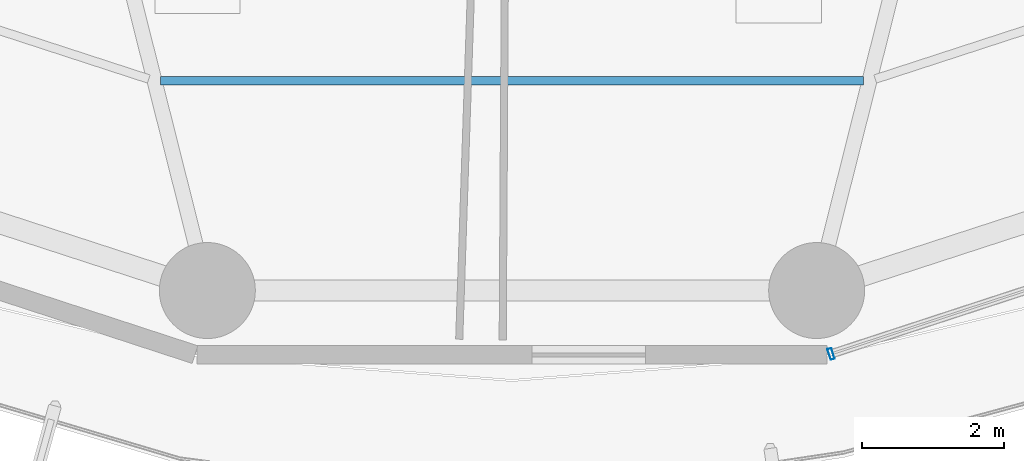
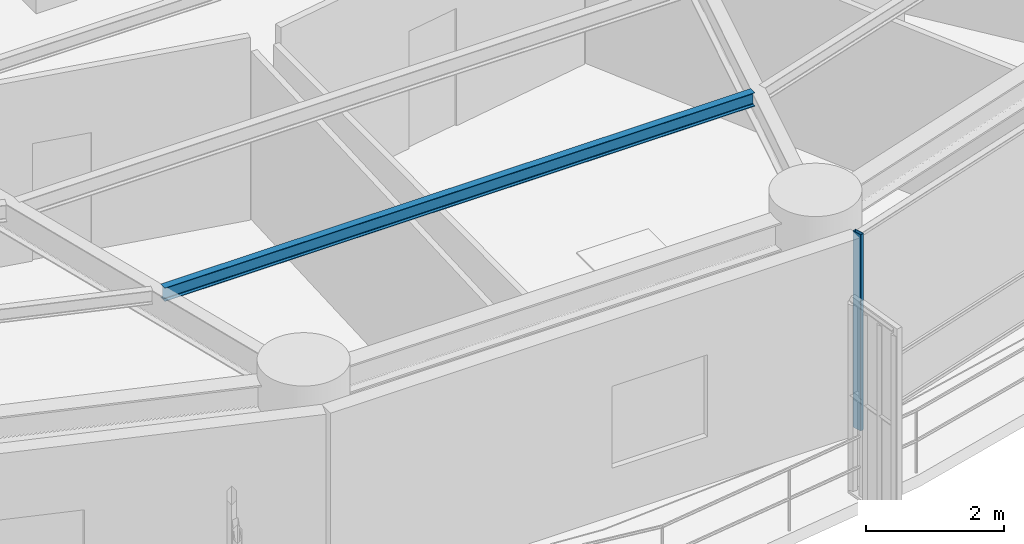
# One storey, part 4 of 38: 1 beam, 1 member, 1 element without a shape of its own.
"""IFC4 building model written with IfcOpenShell, lengths in metres."""

import ifcopenshell
import ifcopenshell.guid

model = None  # the IFC model being written
_history = None  # IfcOwnerHistory: only IFC2X3 demands one
_inside = {}  # id of a spatial element -> (the spatial element, [elements in it])
_under = {}  # id of a project, library or spatial element -> (it, [spatial elements below it])
_declared = {}  # id of a project -> (the project, [libraries it declares])
_typed = {}  # id of a type object -> (the type object, [elements of that type])
_made_of = {}  # id of a material, layer set ... -> (it, [elements and type objects made of it])


def new_model(schema):
    """Start an empty IFC model of exactly this schema.

    Asked for "IFC4X3", IfcOpenShell would pick the latest addendum, in which some entities
    have other attributes; the version numbers below select the first issue.
    IFC2X3 requires an IfcOwnerHistory on every rooted entity: one is made here for all.
    """
    global model, _history
    if schema == "IFC4X3":
        model = ifcopenshell.file(schema_version=(4, 3, 0, 0))
    else:
        model = ifcopenshell.file(schema=schema)
    _inside.clear()
    _under.clear()
    _declared.clear()
    _typed.clear()
    _made_of.clear()
    _history = None
    if model.schema == "IFC2X3":
        org = make("IfcOrganization", Name="unknown")
        user = make(
            "IfcPersonAndOrganization",
            ThePerson=make("IfcPerson", FamilyName="unknown"),
            TheOrganization=org,
        )
        app = make(
            "IfcApplication",
            ApplicationDeveloper=org,
            Version="unknown",
            ApplicationFullName="unknown",
            ApplicationIdentifier="unknown",
        )
        _history = make(
            "IfcOwnerHistory",
            OwningUser=user,
            OwningApplication=app,
            ChangeAction="ADDED",
            CreationDate=0,
        )
    return model


def make(cls, **values):
    """One entity of the class cls with the attributes given. An attribute that is None is left unset."""
    return model.create_entity(
        cls, **{name: value for name, value in values.items() if value is not None}
    )


def rooted(cls, **values):
    """An entity with a GlobalId (a new one), such as an element, a storey or a relation."""
    return make(cls, GlobalId=ifcopenshell.guid.new(), OwnerHistory=_history, **values)


def si_unit(unit_type, name, prefix=None):
    """IfcSIUnit, for example si_unit("LENGTHUNIT", "METRE", prefix="MILLI")."""
    return make("IfcSIUnit", UnitType=unit_type, Prefix=prefix, Name=name)


def assignment(units):
    """IfcUnitAssignment: the units of a project."""
    return None if units is None else make("IfcUnitAssignment", Units=units)


def point(xyz):
    """IfcCartesianPoint."""
    return None if xyz is None else make("IfcCartesianPoint", Coordinates=xyz)


def direction(xyz):
    """IfcDirection."""
    return None if xyz is None else make("IfcDirection", DirectionRatios=xyz)


def frame(location, z_axis=None, x_axis=None):
    """IfcAxis2Placement3D, a coordinate frame: its origin and axes. An axis left out is left unset."""
    return make(
        "IfcAxis2Placement3D",
        Location=point(location),
        Axis=direction(z_axis),
        RefDirection=direction(x_axis),
    )


def frame_2d(location, x_axis=None):
    """IfcAxis2Placement2D, a coordinate frame in the plane: its origin and x axis."""
    return make(
        "IfcAxis2Placement2D", Location=point(location), RefDirection=direction(x_axis)
    )


def origin():
    """The frame at (0, 0, 0) with its axes left unset."""
    return frame((0.0, 0.0, 0.0))


def origin_2d():
    """The frame at (0, 0) in the plane with its x axis left unset."""
    return frame_2d((0.0, 0.0))


def place(relative_to, where):
    """IfcLocalPlacement: puts the frame where relative to a parent placement (None: the world)."""
    return make(
        "IfcLocalPlacement", PlacementRelTo=relative_to, RelativePlacement=where
    )


def context(
    kind, dimensions, precision=None, world=None, true_north=None, identifier=None
):
    """IfcGeometricRepresentationContext, for example the 3D "Model" context."""
    return make(
        "IfcGeometricRepresentationContext",
        ContextIdentifier=identifier,
        ContextType=kind,
        CoordinateSpaceDimension=dimensions,
        Precision=precision,
        WorldCoordinateSystem=world,
        TrueNorth=true_north,
    )


def subcontext(parent, identifier, kind, view, scale=None):
    """IfcGeometricRepresentationSubContext, for example "Body" below "Model"."""
    return make(
        "IfcGeometricRepresentationSubContext",
        ContextIdentifier=identifier,
        ContextType=kind,
        ParentContext=parent,
        TargetScale=scale,
        TargetView=view,
    )


def project(units=None, contexts=None):
    """IfcProject with its units and contexts."""
    return rooted(
        "IfcProject",
        Name="project",
        RepresentationContexts=contexts,
        UnitsInContext=assignment(units),
    )


def spatial(cls, under=None, at=None, **own):
    """A site, building, storey or space (cls), placed at a placement, below another one or the project."""
    s = rooted(cls, ObjectPlacement=at, **own)
    if under is not None:
        _under.setdefault(under.id(), (under, []))[1].append(s)
    return s


def profile(cls, at=None, kind="AREA", **sizes):
    """A parametric profile (cls). Its sizes go by their IFC names, for example OverallWidth=200.0."""
    return make(cls, ProfileType=kind, Position=at, **sizes)


def hollow_rectangle(**sizes):
    """IfcRectangleHollowProfileDef."""
    return profile("IfcRectangleHollowProfileDef", **sizes)


def i_section(**sizes):
    """IfcIShapeProfileDef."""
    return profile("IfcIShapeProfileDef", **sizes)


def extrude(swept, where, along, depth):
    """IfcExtrudedAreaSolid: the profile swept, set in the frame where, extruded along a direction by depth."""
    return make(
        "IfcExtrudedAreaSolid",
        SweptArea=swept,
        Position=where,
        ExtrudedDirection=direction(along),
        Depth=depth,
    )


def shape(context_of_items, identifier, shape_type, items):
    """IfcShapeRepresentation: the items that make up one representation, for example the "Body"."""
    return make(
        "IfcShapeRepresentation",
        ContextOfItems=context_of_items,
        RepresentationIdentifier=identifier,
        RepresentationType=shape_type,
        Items=items,
    )


def material(Name=None, Category=None):
    """IfcMaterial."""
    return make("IfcMaterial", Name=Name, Category=Category)


def layer(
    of_material, thickness, ventilated=None, Name=None, Category=None, Priority=None
):
    """IfcMaterialLayer: one layer of a wall or slab, of a material (None: an air gap)."""
    return make(
        "IfcMaterialLayer",
        Material=of_material,
        LayerThickness=thickness,
        IsVentilated=ventilated,
        Name=Name,
        Category=Category,
        Priority=Priority,
    )


def layer_set(layers, Name=None):
    """IfcMaterialLayerSet."""
    return make("IfcMaterialLayerSet", MaterialLayers=layers, LayerSetName=Name)


def material_profile(
    of_material, cross_section, Name=None, Category=None, Priority=None
):
    """IfcMaterialProfile: a cross section and its material."""
    return make(
        "IfcMaterialProfile",
        Name=Name,
        Material=of_material,
        Profile=cross_section,
        Priority=Priority,
        Category=Category,
    )


def profile_set(profiles, Name=None, composite=None):
    """IfcMaterialProfileSet."""
    return make(
        "IfcMaterialProfileSet",
        Name=Name,
        MaterialProfiles=profiles,
        CompositeProfile=composite,
    )


def made_of(thing, what):
    """Note that an element or type object is made of a material, layer set ...; save() writes the relation."""
    if what is not None:
        _made_of.setdefault(what.id(), (what, []))[1].append(thing)
    return thing


def type_object(cls, material=None, **own):
    """A type object (cls), such as IfcWallType, which elements share."""
    return made_of(rooted(cls, **own), material)


def element(
    cls,
    number,
    at=None,
    inside=None,
    cuts=None,
    type_object=None,
    material=None,
    context=None,
    identifier="Body",
    shape_type=None,
    held_by="IfcProductDefinitionShape",
    body=None,
    shapes=None,
    **own,
):
    """One element of the class cls, such as IfcWall. Its Tag is "e" and its number.

    at: its placement. inside: the storey or other place that contains it. cuts: it is an
    opening in that element (IfcRelVoidsElement). A single representation is given by context,
    identifier, shape_type and body (its items); several are given by shapes. held_by: the class
    of the entity that holds the representations. save() writes the other relations.
    """
    e = rooted(cls, Tag="e%d" % number, ObjectPlacement=at, **own)
    if body is not None:
        shapes = [shape(context, identifier, shape_type, body)]
    if shapes is not None:
        e.Representation = make(held_by, Representations=shapes)
    if inside is not None:
        _inside.setdefault(inside.id(), (inside, []))[1].append(e)
    if cuts is not None:
        rooted(
            "IfcRelVoidsElement", RelatingBuildingElement=cuts, RelatedOpeningElement=e
        )
    if type_object is not None:
        _typed.setdefault(type_object.id(), (type_object, []))[1].append(e)
    return made_of(e, material)


def aggregate(whole, parts):
    """IfcRelAggregates: a whole, such as a stair, and the parts it consists of."""
    return rooted("IfcRelAggregates", RelatingObject=whole, RelatedObjects=parts)


def save(model, path):
    """Write the relations noted so far, then the file.

    IfcRelAggregates (storeys below a building ...), IfcRelContainedInSpatialStructure (elements
    in a storey), IfcRelDefinesByType, IfcRelAssociatesMaterial and IfcRelDeclares: one each for
    every whole, place, type object, material and project.
    """
    for whole, parts in _under.values():
        aggregate(whole, parts)
    for where, things in _inside.values():
        rooted(
            "IfcRelContainedInSpatialStructure",
            RelatedElements=things,
            RelatingStructure=where,
        )
    for kind, things in _typed.values():
        rooted("IfcRelDefinesByType", RelatedObjects=things, RelatingType=kind)
    for what, things in _made_of.values():
        rooted("IfcRelAssociatesMaterial", RelatedObjects=things, RelatingMaterial=what)
    for by, libraries in _declared.values():
        rooted("IfcRelDeclares", RelatingContext=by, RelatedDefinitions=libraries)
    model.write(path)


model = new_model("IFC4")

# Units and contexts
model_context = context("Model", 3, precision=1e-05, world=origin(), true_north=direction((0.0, 1.0)))
body_context = subcontext(model_context, "Body", "Model", "MODEL_VIEW")
ifc_project = project(units=[si_unit("LENGTHUNIT", "METRE"), si_unit("AREAUNIT", "SQUARE_METRE"), si_unit("VOLUMEUNIT", "CUBIC_METRE"), si_unit("PLANEANGLEUNIT", "RADIAN"), si_unit("MASSUNIT", "GRAM", prefix="KILO")], contexts=[model_context])

# Site, building, storey
site_placement = place(None, origin())
site = spatial("IfcSite", under=ifc_project, at=site_placement, CompositionType="ELEMENT")
building_placement = place(site_placement, origin())
building = spatial("IfcBuilding", under=site, at=building_placement, Name="Kelanora Arch Commons", CompositionType="ELEMENT")
storey_placement = place(building_placement, frame((0.0, 0.0, 106.35009765625)))
storey = spatial("IfcBuildingStorey", under=building, at=storey_placement, Name="L27", CompositionType="ELEMENT", Elevation=106.35009765625)

# Beam
ifc_material_1 = material(Name="Steel S355", Category="steel")
ifc_material_profile_1 = material_profile(ifc_material_1, i_section(OverallWidth=0.1201171875, OverallDepth=0.239990234375, WebThickness=0.006103515625, FlangeThickness=0.009765625, FilletRadius=0.014892578125, at=origin_2d()), Name="IPE240")
ifc_profile_set_1 = profile_set([ifc_material_profile_1], Name="Steel S355")
beam_type = type_object("IfcBeamType", Name="BM-JST-02", PredefinedType="JOIST", material=ifc_profile_set_1)
beam_placement = place(storey_placement, frame((69.056396484375, 39.204345703125, 3.369873046875), z_axis=(1.0, 0.0, 0.0), x_axis=(0.0, 1.0, 0.0)))
element("IfcBeam", 1, at=beam_placement, inside=storey, type_object=beam_type, Name="Secondary Chord Joist BJC-26 L27", PredefinedType="JOIST", context=body_context, shape_type="SweptSolid", body=[
    extrude(i_section(OverallWidth=0.1201171875, OverallDepth=0.239990234375, WebThickness=0.006103515625, FlangeThickness=0.009765625, FilletRadius=0.014892578125, at=origin_2d()), origin(), (0.0, 0.0, 1.0), 9.88720703125),
])

# Curtain wall, member
ifc_material_2 = material(Name="Terracotta ceramic-fritted low-E glass and aluminium", Category="masonry")
ifc_layer = layer(ifc_material_2, 0.159912109375)
ifc_layer_set = layer_set([ifc_layer], Name="Terracotta ceramic-fritted low-E glass and aluminium")
curtain_wall_type = type_object("IfcCurtainWallType", Name="CW-SYS-01", PredefinedType="NOTDEFINED", material=ifc_layer_set)
curtain_wall_placement = place(storey_placement, origin())
curtain_wall = element("IfcCurtainWall", 2, at=curtain_wall_placement, inside=storey, type_object=curtain_wall_type, Name="Unitised Curtain Wall L27-B14", PredefinedType="NOTDEFINED")
ifc_material_3 = material(Name="Powder-coated aluminium terracotta", Category="masonry")
ifc_material_profile_2 = material_profile(ifc_material_3, hollow_rectangle(XDim=0.159912109375, YDim=0.06005859375, WallThickness=0.0048828125, InnerFilletRadius=0.0048828125, OuterFilletRadius=0.010009765625, at=origin_2d()), Name="CWM160x60")
ifc_profile_set_2 = profile_set([ifc_material_profile_2], Name="Powder-coated aluminium terracotta")
member_type = type_object("IfcMemberType", Name="CWM-STD", PredefinedType="MULLION", material=ifc_profile_set_2)
member_placement = place(storey_placement, frame((78.48828125, 35.363525390625, 0.0), z_axis=(0.0, 0.0, 1.0), x_axis=(-0.31080470294, 0.950473795867, 0.0)))
member = element("IfcMember", 3, at=member_placement, type_object=member_type, Name="CW-01 mullion 1", PredefinedType="MULLION", context=body_context, shape_type="SweptSolid", body=[
    extrude(hollow_rectangle(XDim=0.159912109375, YDim=0.06005859375, WallThickness=0.0048828125, InnerFilletRadius=0.0048828125, OuterFilletRadius=0.010009765625, at=origin_2d()), origin(), (0.0, 0.0, 1.0), 3.474853515625),
])
aggregate(curtain_wall, [member])

save(model, "model.ifc")
